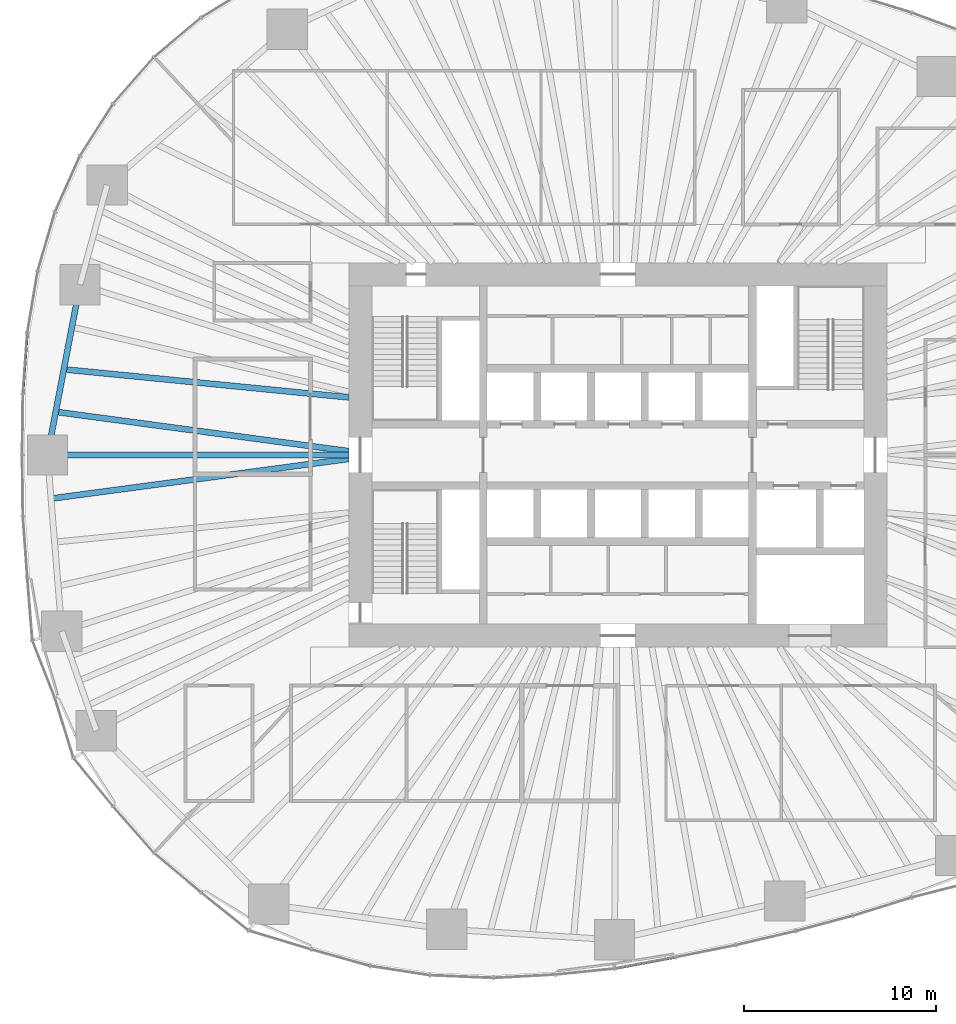
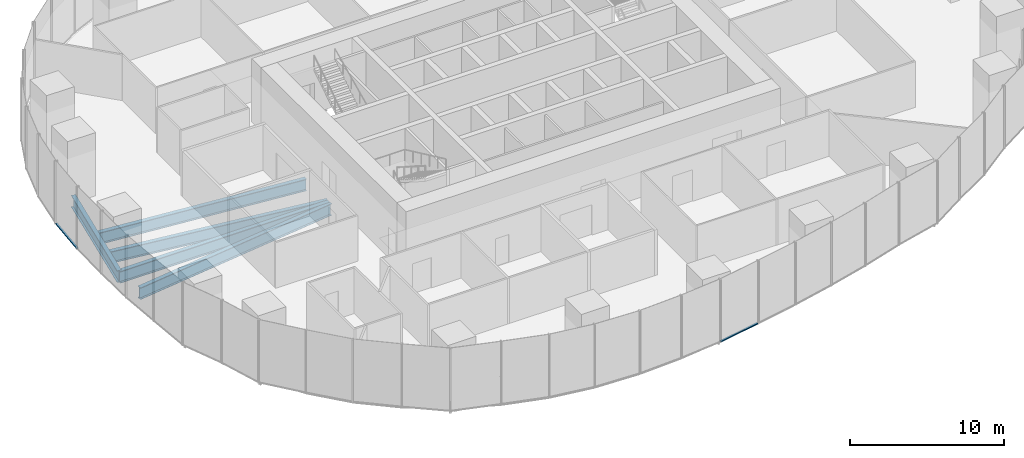
# One storey, part 3 of 20: 5 beams, 2 members, 2 elements without a shape of their own.
"""IFC4 building model written with IfcOpenShell, lengths in metres."""

from ifc_helpers import new_model, si_unit, direction, frame, origin, origin_2d, place, context, subcontext, project, spatial, rectangle, i_section, extrude, material, material_profile, profile_set, type_object, element, aggregate, save


model = new_model("IFC4")

# Units and contexts
model_context = context("Model", 3, precision=1e-05, world=origin(), true_north=direction((0.0, 1.0)))
body_context = subcontext(model_context, "Body", "Model", "MODEL_VIEW")
ifc_project = project(units=[si_unit("LENGTHUNIT", "METRE"), si_unit("AREAUNIT", "SQUARE_METRE"), si_unit("VOLUMEUNIT", "CUBIC_METRE"), si_unit("PLANEANGLEUNIT", "RADIAN"), si_unit("MASSUNIT", "GRAM", prefix="KILO")], contexts=[model_context])

# Site, building, storey
site_placement = place(None, origin())
site = spatial("IfcSite", under=ifc_project, at=site_placement, CompositionType="ELEMENT")
building_placement = place(site_placement, origin())
building = spatial("IfcBuilding", under=site, at=building_placement, Name="Ghaith Harvest Tower", CompositionType="ELEMENT")
storey_placement = place(building_placement, frame((0.0, 0.0, 35.0)))
storey = spatial("IfcBuildingStorey", under=building, at=storey_placement, Name="L07", CompositionType="ELEMENT", Elevation=35.0)

# Curtain wall, member
ifc_material_1 = material(Name="Black anodised aluminium and fritted glass", Category="aluminium")
curtain_wall_type = type_object("IfcCurtainWallType", Name="CW-F CURTAIN WALL", PredefinedType="NOTDEFINED", material=ifc_material_1)
curtain_wall_1_placement = place(storey_placement, origin())
curtain_wall_1 = element("IfcCurtainWall", 1, at=curtain_wall_1_placement, inside=storey, type_object=curtain_wall_type, Name="Curtain wall CW-F bay 10 L07", PredefinedType="NOTDEFINED")
ifc_material_2 = material(Name="Aluminium, black anodised", Category="aluminium")
ifc_material_profile_1 = material_profile(ifc_material_2, rectangle(XDim=0.139892578125, YDim=0.080078125, at=origin_2d()), Name="CW-F TRANSOM 140x80")
ifc_profile_set_1 = profile_set([ifc_material_profile_1], Name="Aluminium, black anodised")
member_type = type_object("IfcMemberType", Name="CW-F TRANSOM 140x80", PredefinedType="USERDEFINED", material=ifc_profile_set_1)
member_1_placement = place(storey_placement, frame((-30.72705078125, 6.335693359375, 0.0400390625), z_axis=(-0.072473547161, -0.997370334912, 0.0), x_axis=(0.997370334912, -0.072473547161, 0.0)))
member_1 = element("IfcMember", 2, at=member_1_placement, type_object=member_type, Name="CW-F transom 2 bay 10 L07", ObjectType="TRANSOM", PredefinedType="USERDEFINED", context=body_context, shape_type="SweptSolid", body=[
    extrude(rectangle(XDim=0.139892578125, YDim=0.080078125, at=origin_2d()), origin(), (0.0, 0.0, 1.0), 3.126220703125),
])
aggregate(curtain_wall_1, [member_1])

curtain_wall_2_placement = place(storey_placement, origin())
curtain_wall_2 = element("IfcCurtainWall", 3, at=curtain_wall_2_placement, inside=storey, type_object=curtain_wall_type, Name="Curtain wall CW-F bay 16 L07", PredefinedType="NOTDEFINED")
member_2_placement = place(storey_placement, frame((-0.1435546875, -26.709716796875, 0.0400390625), z_axis=(0.983139075124, 0.182859396706, 0.0), x_axis=(-0.182859396706, 0.983139075124, 0.0)))
member_2 = element("IfcMember", 4, at=member_2_placement, type_object=member_type, Name="CW-F transom 1 bay 16 L07", ObjectType="TRANSOM", PredefinedType="USERDEFINED", context=body_context, shape_type="SweptSolid", body=[
    extrude(rectangle(XDim=0.139892578125, YDim=0.080078125, at=origin_2d()), origin(), (0.0, 0.0, 1.0), 3.1669921875),
])
aggregate(curtain_wall_2, [member_2])

# Beams
ifc_material_3 = material(Name="Steel ASTM A992 Grade 50", Category="steel")
ifc_material_profile_2 = material_profile(ifc_material_3, i_section(OverallWidth=0.306884765625, OverallDepth=0.94189453125, WebThickness=0.022216796875, FlangeThickness=0.039794921875, at=origin_2d()), Name="W920X345")
ifc_profile_set_2 = profile_set([ifc_material_profile_2], Name="Steel ASTM A992 Grade 50")
beam_type_1 = type_object("IfcBeamType", Name="E920-345 W920X345", PredefinedType="SPANDREL", material=ifc_profile_set_2)
beam_1_placement = place(storey_placement, frame((-27.98291015625, 8.867919921875, -0.6708984375), z_axis=(-0.187433949108, -0.982277208695, 0.0), x_axis=(0.982277208695, -0.187433949108, 0.0)))
element("IfcBeam", 5, at=beam_1_placement, inside=storey, type_object=beam_type_1, Name="Edge beam E10 L07", PredefinedType="SPANDREL", context=body_context, shape_type="SweptSolid", body=[
    extrude(i_section(OverallWidth=0.306884765625, OverallDepth=0.94189453125, WebThickness=0.022216796875, FlangeThickness=0.039794921875, at=origin_2d()), origin(), (0.0, 0.0, 1.0), 9.02783203125),
])
ifc_material_4 = material(Name="Steel ASTM A992 Grade 50", Category="steel")
ifc_material_profile_3 = material_profile(ifc_material_4, i_section(OverallWidth=0.306884765625, OverallDepth=0.94189453125, WebThickness=0.022216796875, FlangeThickness=0.039794921875, at=origin_2d()), Name="W920X345")
ifc_profile_set_3 = profile_set([ifc_material_profile_3], Name="Steel ASTM A992 Grade 50")
beam_type_2 = type_object("IfcBeamType", Name="G920-345 W920X345", PredefinedType="BEAM", material=ifc_profile_set_3)
beam_2_placement = place(storey_placement, frame((-14.0, 0.0, -0.6708984375), z_axis=(-1.0, 0.0, 0.0), x_axis=(0.0, -1.0, 0.0)))
element("IfcBeam", 6, at=beam_2_placement, inside=storey, type_object=beam_type_2, Name="Radial girder G11 L07", PredefinedType="BEAM", context=body_context, shape_type="SweptSolid", body=[
    extrude(i_section(OverallWidth=0.306884765625, OverallDepth=0.94189453125, WebThickness=0.022216796875, FlangeThickness=0.039794921875, at=origin_2d()), origin(), (0.0, 0.0, 1.0), 15.675048828125),
])
ifc_material_5 = material(Name="Steel ASTM A992 Grade 50", Category="steel")
ifc_material_profile_4 = material_profile(ifc_material_5, i_section(OverallWidth=0.31005859375, OverallDepth=0.927001953125, WebThickness=0.019287109375, FlangeThickness=0.031982421875, at=origin_2d()), Name="W920X289")
ifc_profile_set_4 = profile_set([ifc_material_profile_4], Name="Steel ASTM A992 Grade 50")
beam_type_3 = type_object("IfcBeamType", Name="J920-289 W920X289", PredefinedType="JOIST", material=ifc_profile_set_4)
beam_3_placement = place(storey_placement, frame((-14.0, 3.0, -0.66357421875), z_axis=(-0.995196704135, 0.097895454848, 0.0), x_axis=(-0.097895454848, -0.995196704135, 0.0)))
element("IfcBeam", 7, at=beam_3_placement, inside=storey, type_object=beam_type_3, Name="Joist J10.2 L07", PredefinedType="JOIST", context=body_context, shape_type="SweptSolid", body=[
    extrude(i_section(OverallWidth=0.31005859375, OverallDepth=0.927001953125, WebThickness=0.019287109375, FlangeThickness=0.031982421875, at=origin_2d()), origin(), (0.0, 0.0, 1.0), 14.89599609375),
])
beam_4_placement = place(storey_placement, frame((-14.0, 0.199951171875, -0.66357421875), z_axis=(-0.991095171591, 0.133155401128, 0.0), x_axis=(-0.133155401128, -0.991095171591, 0.0)))
element("IfcBeam", 8, at=beam_4_placement, inside=storey, type_object=beam_type_3, Name="Joist J10.3 L07", PredefinedType="JOIST", context=body_context, shape_type="SweptSolid", body=[
    extrude(i_section(OverallWidth=0.31005859375, OverallDepth=0.927001953125, WebThickness=0.019287109375, FlangeThickness=0.031982421875, at=origin_2d()), origin(), (0.0, 0.0, 1.0), 15.383056640625),
])
beam_5_placement = place(storey_placement, frame((-14.0, -0.199951171875, -0.66357421875), z_axis=(-0.991213569042, -0.132271162948, 0.0), x_axis=(0.132271162948, -0.991213569042, 0.0)))
element("IfcBeam", 9, at=beam_5_placement, inside=storey, type_object=beam_type_3, Name="Joist J11.1 L07", PredefinedType="JOIST", context=body_context, shape_type="SweptSolid", body=[
    extrude(i_section(OverallWidth=0.31005859375, OverallDepth=0.927001953125, WebThickness=0.019287109375, FlangeThickness=0.031982421875, at=origin_2d()), origin(), (0.0, 0.0, 1.0), 15.6279296875),
])

save(model, "model.ifc")
